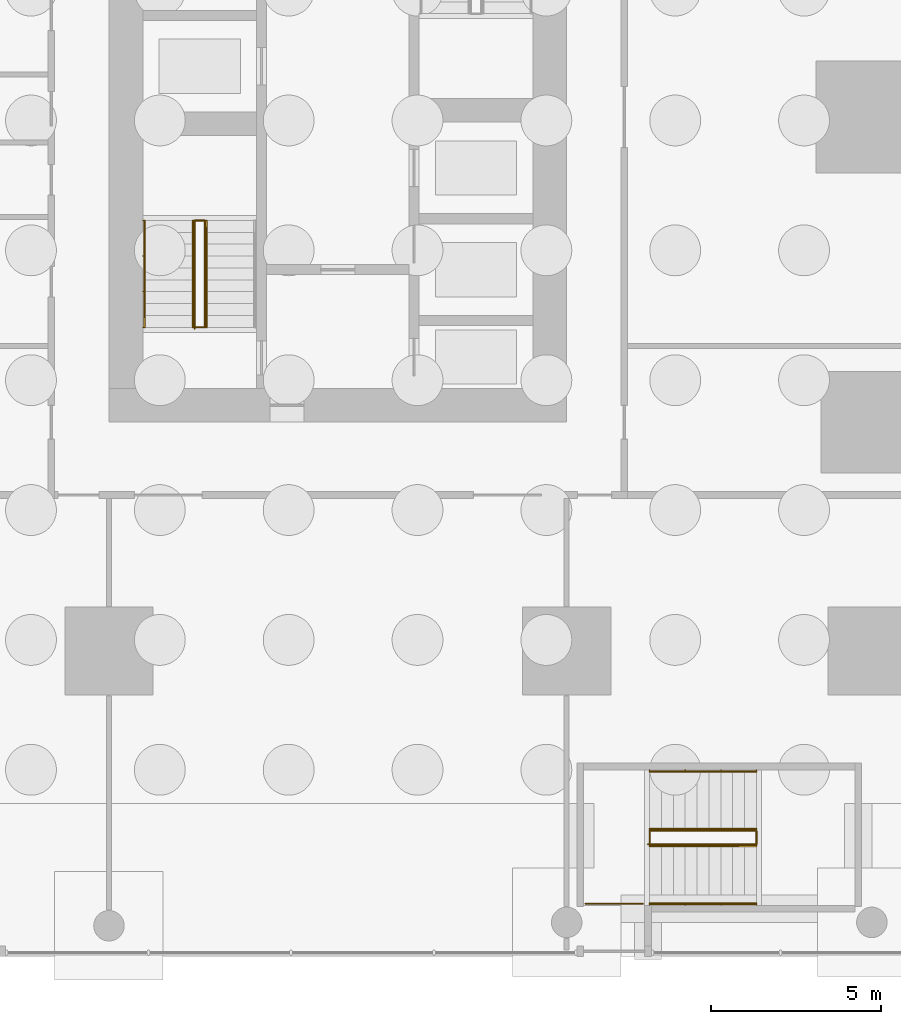
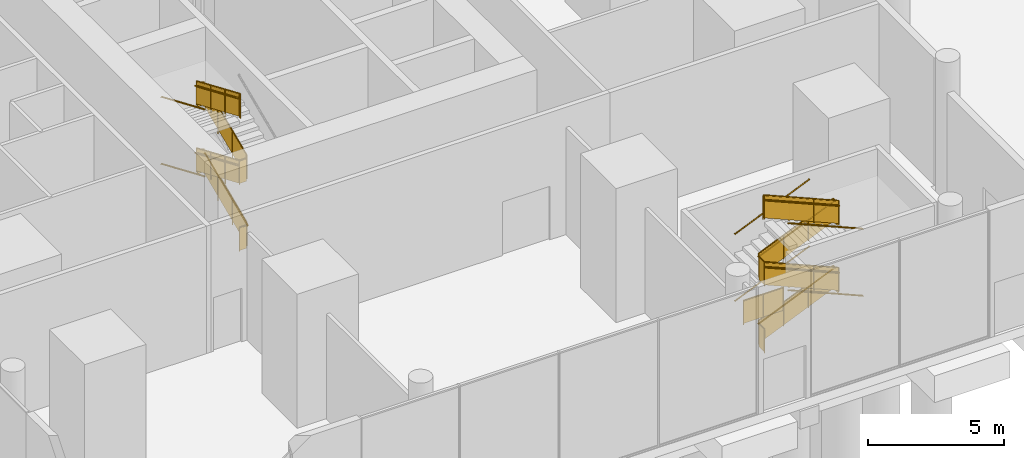
# One storey, part 25 of 31: 16 railings.
"""IFC4 building model written with IfcOpenShell, lengths in metres."""

from ifc_helpers import new_model, si_unit, direction, frame, origin, origin_2d, place, context, subcontext, project, spatial, polyline, circle, outline, extrude, material, type_object, element, save


model = new_model("IFC4")

# Units and contexts
model_context = context("Model", 3, precision=1e-05, world=origin(), true_north=direction((0.0, 1.0)))
body_context = subcontext(model_context, "Body", "Model", "MODEL_VIEW")
ifc_project = project(units=[si_unit("LENGTHUNIT", "METRE"), si_unit("AREAUNIT", "SQUARE_METRE"), si_unit("VOLUMEUNIT", "CUBIC_METRE"), si_unit("PLANEANGLEUNIT", "RADIAN"), si_unit("MASSUNIT", "GRAM", prefix="KILO")], contexts=[model_context])

# Site, building, storey
site_placement = place(None, origin())
site = spatial("IfcSite", under=ifc_project, at=site_placement, CompositionType="ELEMENT")
building_placement = place(site_placement, origin())
building = spatial("IfcBuilding", under=site, at=building_placement, Name="Namib Vertical Campus", CompositionType="ELEMENT")
storey_placement = place(building_placement, origin())
storey = spatial("IfcBuildingStorey", under=building, at=storey_placement, Name="L00", CompositionType="ELEMENT", Elevation=0.0)

# Railings
ifc_material_1 = material(Name="Steel handrail", Category="steel")
railing_type_1 = type_object("IfcRailingType", Name="Handrail 900", PredefinedType="HANDRAIL", material=ifc_material_1)
for number, where, name in (
    (1, (14.550048828125, 17.199951171875, 1.64990234375), "Handrail HR1 A-S1 L00 2"),
    (2, (14.550048828125, 17.199951171875, 4.64990234375), "Handrail HR1 A-S1 L00 4"),
):
    element("IfcRailing", number, at=place(storey_placement, frame(where)), inside=storey, type_object=railing_type_1, Name=name, PredefinedType="HANDRAIL", context=body_context, shape_type="SweptSolid", body=[
        extrude(circle(Radius=0.02392578125, at=origin_2d()), frame((0.0, 0.0, 0.8759765625), z_axis=(0.0, -0.919130290196, 0.393953689721), x_axis=(1.0, 0.0, 0.0)), (0.0, 0.0, 1.0), 3.427001953125),
        extrude(circle(Radius=0.008056640625, at=origin_2d()), frame((0.0, 0.0, 0.8759765625), z_axis=(-1.0, 0.0, 0.0), x_axis=(0.0, 0.0, 1.0)), (0.0, 0.0, 1.0), 0.050048828125),
        extrude(circle(Radius=0.008056640625, at=origin_2d()), frame((0.0, -1.050048828125, 1.325927734375), z_axis=(-1.0, 0.0, 0.0), x_axis=(0.0, 0.0, 1.0)), (0.0, 0.0, 1.0), 0.050048828125),
        extrude(circle(Radius=0.008056640625, at=origin_2d()), frame((0.0, -2.099853515625, 1.77587890625), z_axis=(-1.0, 0.0, 0.0), x_axis=(0.0, 0.0, 1.0)), (0.0, 0.0, 1.0), 0.050048828125),
        extrude(circle(Radius=0.008056640625, at=origin_2d()), frame((0.0, -3.14990234375, 2.22607421875), z_axis=(-1.0, 0.0, 0.0), x_axis=(0.0, 0.0, 1.0)), (0.0, 0.0, 1.0), 0.050048828125),
    ])
railing_1_placement = place(storey_placement, frame((16.375, 14.050048828125, 0.14990234375)))
element("IfcRailing", 3, at=railing_1_placement, inside=storey, type_object=railing_type_1, Name="Handrail HR1 A-S1 L00 1 at the well", PredefinedType="HANDRAIL", context=body_context, shape_type="SweptSolid", body=[
    extrude(circle(Radius=0.02392578125, at=origin_2d()), frame((0.0, 0.0, 0.8759765625), z_axis=(0.0, 0.919130290196, 0.393953689721), x_axis=(-1.0, 0.0, 0.0)), (0.0, 0.0, 1.0), 3.427001953125),
    extrude(circle(Radius=0.008056640625, at=origin_2d()), frame((0.0, 0.0, 0.8759765625), z_axis=(-1.0, 0.0, 0.0), x_axis=(0.0, 0.0, 1.0)), (0.0, 0.0, 1.0), 0.0400390625),
    extrude(circle(Radius=0.008056640625, at=origin_2d()), frame((0.0, 1.050048828125, 1.325927734375), z_axis=(-1.0, 0.0, 0.0), x_axis=(0.0, 0.0, 1.0)), (0.0, 0.0, 1.0), 0.0400390625),
    extrude(circle(Radius=0.008056640625, at=origin_2d()), frame((0.0, 2.099853515625, 1.77587890625), z_axis=(-1.0, 0.0, 0.0), x_axis=(0.0, 0.0, 1.0)), (0.0, 0.0, 1.0), 0.0400390625),
    extrude(circle(Radius=0.008056640625, at=origin_2d()), frame((0.0, 3.14990234375, 2.22607421875), z_axis=(-1.0, 0.0, 0.0), x_axis=(0.0, 0.0, 1.0)), (0.0, 0.0, 1.0), 0.0400390625),
])
for number, where, name in (
    (4, (15.97509765625, 17.199951171875, 1.64990234375), "Handrail HR1 A-S1 L00 2 at the well"),
    (5, (15.97509765625, 17.199951171875, 4.64990234375), "Handrail HR1 A-S1 L00 4 at the well"),
):
    element("IfcRailing", number, at=place(storey_placement, frame(where)), inside=storey, type_object=railing_type_1, Name=name, PredefinedType="HANDRAIL", context=body_context, shape_type="SweptSolid", body=[
        extrude(circle(Radius=0.02392578125, at=origin_2d()), frame((0.0, 0.0, 0.8759765625), z_axis=(0.0, -0.919130290196, 0.393953689721), x_axis=(1.0, 0.0, 0.0)), (0.0, 0.0, 1.0), 3.427001953125),
        extrude(circle(Radius=0.008056640625, at=origin_2d()), frame((0.0, 0.0, 0.8759765625), z_axis=(1.0, 0.0, 0.0), x_axis=(0.0, 0.0, 1.0)), (0.0, 0.0, 1.0), 0.0400390625),
        extrude(circle(Radius=0.008056640625, at=origin_2d()), frame((0.0, -1.050048828125, 1.325927734375), z_axis=(1.0, 0.0, 0.0), x_axis=(0.0, 0.0, 1.0)), (0.0, 0.0, 1.0), 0.0400390625),
        extrude(circle(Radius=0.008056640625, at=origin_2d()), frame((0.0, -2.099853515625, 1.77587890625), z_axis=(1.0, 0.0, 0.0), x_axis=(0.0, 0.0, 1.0)), (0.0, 0.0, 1.0), 0.0400390625),
        extrude(circle(Radius=0.008056640625, at=origin_2d()), frame((0.0, -3.14990234375, 2.22607421875), z_axis=(1.0, 0.0, 0.0), x_axis=(0.0, 0.0, 1.0)), (0.0, 0.0, 1.0), 0.0400390625),
    ])
railing_2_placement = place(storey_placement, frame((29.446044921875, 0.949951171875, 0.14990234375)))
element("IfcRailing", 6, at=railing_2_placement, inside=storey, type_object=railing_type_1, Name="Handrail HR1 P-S2 L00 1", PredefinedType="HANDRAIL", context=body_context, shape_type="SweptSolid", body=[
    extrude(circle(Radius=0.02392578125, at=origin_2d()), frame((0.0, 0.0, 0.8759765625), z_axis=(0.919141345424, 0.0, 0.393927895853), x_axis=(0.0, 1.0, 0.0)), (0.0, 0.0, 1.0), 3.42724609375),
    extrude(circle(Radius=0.008056640625, at=origin_2d()), frame((0.0, 0.0, 0.8759765625), z_axis=(0.0, 1.0, 0.0), x_axis=(0.0, 0.0, 1.0)), (0.0, 0.0, 1.0), 0.050048828125),
    extrude(circle(Radius=0.008056640625, at=origin_2d()), frame((1.050048828125, 0.0, 1.325927734375), z_axis=(0.0, 1.0, 0.0), x_axis=(0.0, 0.0, 1.0)), (0.0, 0.0, 1.0), 0.050048828125),
    extrude(circle(Radius=0.008056640625, at=origin_2d()), frame((2.10009765625, 0.0, 1.77587890625), z_axis=(0.0, 1.0, 0.0), x_axis=(0.0, 0.0, 1.0)), (0.0, 0.0, 1.0), 0.050048828125),
    extrude(circle(Radius=0.008056640625, at=origin_2d()), frame((3.150146484375, 0.0, 2.22607421875), z_axis=(0.0, 1.0, 0.0), x_axis=(0.0, 0.0, 1.0)), (0.0, 0.0, 1.0), 0.050048828125),
])
railing_3_placement = place(storey_placement, frame((32.59619140625, -2.949951171875, 1.64990234375)))
element("IfcRailing", 7, at=railing_3_placement, inside=storey, type_object=railing_type_1, Name="Handrail HR1 P-S2 L00 2", PredefinedType="HANDRAIL", context=body_context, shape_type="SweptSolid", body=[
    extrude(circle(Radius=0.02392578125, at=origin_2d()), frame((0.0, 0.0, 0.8759765625), z_axis=(-0.919141345424, 0.0, 0.393927895853), x_axis=(0.0, -1.0, 0.0)), (0.0, 0.0, 1.0), 3.42724609375),
    extrude(circle(Radius=0.008056640625, at=origin_2d()), frame((0.0, 0.0, 0.8759765625), z_axis=(0.0, -1.0, 0.0), x_axis=(0.0, 0.0, 1.0)), (0.0, 0.0, 1.0), 0.050048828125),
    extrude(circle(Radius=0.008056640625, at=origin_2d()), frame((-1.050048828125, 0.0, 1.325927734375), z_axis=(0.0, -1.0, 0.0), x_axis=(0.0, 0.0, 1.0)), (0.0, 0.0, 1.0), 0.050048828125),
    extrude(circle(Radius=0.008056640625, at=origin_2d()), frame((-2.10009765625, 0.0, 1.77587890625), z_axis=(0.0, -1.0, 0.0), x_axis=(0.0, 0.0, 1.0)), (0.0, 0.0, 1.0), 0.050048828125),
    extrude(circle(Radius=0.008056640625, at=origin_2d()), frame((-3.150146484375, 0.0, 2.22607421875), z_axis=(0.0, -1.0, 0.0), x_axis=(0.0, 0.0, 1.0)), (0.0, 0.0, 1.0), 0.050048828125),
])
railing_4_placement = place(storey_placement, frame((29.446044921875, 0.949951171875, 3.14990234375)))
element("IfcRailing", 8, at=railing_4_placement, inside=storey, type_object=railing_type_1, Name="Handrail HR1 P-S2 L00 3", PredefinedType="HANDRAIL", context=body_context, shape_type="SweptSolid", body=[
    extrude(circle(Radius=0.02392578125, at=origin_2d()), frame((0.0, 0.0, 0.8759765625), z_axis=(0.919141345424, 0.0, 0.393927895853), x_axis=(0.0, 1.0, 0.0)), (0.0, 0.0, 1.0), 3.42724609375),
    extrude(circle(Radius=0.008056640625, at=origin_2d()), frame((0.0, 0.0, 0.8759765625), z_axis=(0.0, 1.0, 0.0), x_axis=(0.0, 0.0, 1.0)), (0.0, 0.0, 1.0), 0.050048828125),
    extrude(circle(Radius=0.008056640625, at=origin_2d()), frame((1.050048828125, 0.0, 1.325927734375), z_axis=(0.0, 1.0, 0.0), x_axis=(0.0, 0.0, 1.0)), (0.0, 0.0, 1.0), 0.050048828125),
    extrude(circle(Radius=0.008056640625, at=origin_2d()), frame((2.10009765625, 0.0, 1.77587890625), z_axis=(0.0, 1.0, 0.0), x_axis=(0.0, 0.0, 1.0)), (0.0, 0.0, 1.0), 0.050048828125),
    extrude(circle(Radius=0.008056640625, at=origin_2d()), frame((3.150146484375, 0.0, 2.22607421875), z_axis=(0.0, 1.0, 0.0), x_axis=(0.0, 0.0, 1.0)), (0.0, 0.0, 1.0), 0.050048828125),
])
railing_5_placement = place(storey_placement, frame((32.59619140625, -2.949951171875, 4.64990234375)))
element("IfcRailing", 9, at=railing_5_placement, inside=storey, type_object=railing_type_1, Name="Handrail HR1 P-S2 L00 4", PredefinedType="HANDRAIL", context=body_context, shape_type="SweptSolid", body=[
    extrude(circle(Radius=0.02392578125, at=origin_2d()), frame((0.0, 0.0, 0.8759765625), z_axis=(-0.919141345424, 0.0, 0.393927895853), x_axis=(0.0, -1.0, 0.0)), (0.0, 0.0, 1.0), 3.42724609375),
    extrude(circle(Radius=0.008056640625, at=origin_2d()), frame((0.0, 0.0, 0.8759765625), z_axis=(0.0, -1.0, 0.0), x_axis=(0.0, 0.0, 1.0)), (0.0, 0.0, 1.0), 0.050048828125),
    extrude(circle(Radius=0.008056640625, at=origin_2d()), frame((-1.050048828125, 0.0, 1.325927734375), z_axis=(0.0, -1.0, 0.0), x_axis=(0.0, 0.0, 1.0)), (0.0, 0.0, 1.0), 0.050048828125),
    extrude(circle(Radius=0.008056640625, at=origin_2d()), frame((-2.10009765625, 0.0, 1.77587890625), z_axis=(0.0, -1.0, 0.0), x_axis=(0.0, 0.0, 1.0)), (0.0, 0.0, 1.0), 0.050048828125),
    extrude(circle(Radius=0.008056640625, at=origin_2d()), frame((-3.150146484375, 0.0, 2.22607421875), z_axis=(0.0, -1.0, 0.0), x_axis=(0.0, 0.0, 1.0)), (0.0, 0.0, 1.0), 0.050048828125),
])
railing_6_placement = place(storey_placement, frame((29.446044921875, -0.75, 0.14990234375)))
element("IfcRailing", 10, at=railing_6_placement, inside=storey, type_object=railing_type_1, Name="Handrail HR1 P-S2 L00 1 at the well", PredefinedType="HANDRAIL", context=body_context, shape_type="SweptSolid", body=[
    extrude(circle(Radius=0.02392578125, at=origin_2d()), frame((0.0, 0.0, 0.8759765625), z_axis=(0.919141345424, 0.0, 0.393927895853), x_axis=(0.0, 1.0, 0.0)), (0.0, 0.0, 1.0), 3.42724609375),
    extrude(circle(Radius=0.008056640625, at=origin_2d()), frame((0.0, 0.0, 0.8759765625), z_axis=(0.0, -1.0, 0.0), x_axis=(0.0, 0.0, 1.0)), (0.0, 0.0, 1.0), 0.0400390625),
    extrude(circle(Radius=0.008056640625, at=origin_2d()), frame((1.050048828125, 0.0, 1.325927734375), z_axis=(0.0, -1.0, 0.0), x_axis=(0.0, 0.0, 1.0)), (0.0, 0.0, 1.0), 0.0400390625),
    extrude(circle(Radius=0.008056640625, at=origin_2d()), frame((2.10009765625, 0.0, 1.77587890625), z_axis=(0.0, -1.0, 0.0), x_axis=(0.0, 0.0, 1.0)), (0.0, 0.0, 1.0), 0.0400390625),
    extrude(circle(Radius=0.008056640625, at=origin_2d()), frame((3.150146484375, 0.0, 2.22607421875), z_axis=(0.0, -1.0, 0.0), x_axis=(0.0, 0.0, 1.0)), (0.0, 0.0, 1.0), 0.0400390625),
])
railing_7_placement = place(storey_placement, frame((32.59619140625, -1.25, 1.64990234375)))
element("IfcRailing", 11, at=railing_7_placement, inside=storey, type_object=railing_type_1, Name="Handrail HR1 P-S2 L00 2 at the well", PredefinedType="HANDRAIL", context=body_context, shape_type="SweptSolid", body=[
    extrude(circle(Radius=0.02392578125, at=origin_2d()), frame((0.0, 0.0, 0.8759765625), z_axis=(-0.919141345424, 0.0, 0.393927895853), x_axis=(0.0, -1.0, 0.0)), (0.0, 0.0, 1.0), 3.42724609375),
    extrude(circle(Radius=0.008056640625, at=origin_2d()), frame((0.0, 0.0, 0.8759765625), z_axis=(0.0, 1.0, 0.0), x_axis=(0.0, 0.0, 1.0)), (0.0, 0.0, 1.0), 0.0400390625),
    extrude(circle(Radius=0.008056640625, at=origin_2d()), frame((-1.050048828125, 0.0, 1.325927734375), z_axis=(0.0, 1.0, 0.0), x_axis=(0.0, 0.0, 1.0)), (0.0, 0.0, 1.0), 0.0400390625),
    extrude(circle(Radius=0.008056640625, at=origin_2d()), frame((-2.10009765625, 0.0, 1.77587890625), z_axis=(0.0, 1.0, 0.0), x_axis=(0.0, 0.0, 1.0)), (0.0, 0.0, 1.0), 0.0400390625),
    extrude(circle(Radius=0.008056640625, at=origin_2d()), frame((-3.150146484375, 0.0, 2.22607421875), z_axis=(0.0, 1.0, 0.0), x_axis=(0.0, 0.0, 1.0)), (0.0, 0.0, 1.0), 0.0400390625),
])
railing_8_placement = place(storey_placement, frame((29.446044921875, -0.75, 3.14990234375)))
element("IfcRailing", 12, at=railing_8_placement, inside=storey, type_object=railing_type_1, Name="Handrail HR1 P-S2 L00 3 at the well", PredefinedType="HANDRAIL", context=body_context, shape_type="SweptSolid", body=[
    extrude(circle(Radius=0.02392578125, at=origin_2d()), frame((0.0, 0.0, 0.8759765625), z_axis=(0.919141345424, 0.0, 0.393927895853), x_axis=(0.0, 1.0, 0.0)), (0.0, 0.0, 1.0), 3.42724609375),
    extrude(circle(Radius=0.008056640625, at=origin_2d()), frame((0.0, 0.0, 0.8759765625), z_axis=(0.0, -1.0, 0.0), x_axis=(0.0, 0.0, 1.0)), (0.0, 0.0, 1.0), 0.0400390625),
    extrude(circle(Radius=0.008056640625, at=origin_2d()), frame((1.050048828125, 0.0, 1.325927734375), z_axis=(0.0, -1.0, 0.0), x_axis=(0.0, 0.0, 1.0)), (0.0, 0.0, 1.0), 0.0400390625),
    extrude(circle(Radius=0.008056640625, at=origin_2d()), frame((2.10009765625, 0.0, 1.77587890625), z_axis=(0.0, -1.0, 0.0), x_axis=(0.0, 0.0, 1.0)), (0.0, 0.0, 1.0), 0.0400390625),
    extrude(circle(Radius=0.008056640625, at=origin_2d()), frame((3.150146484375, 0.0, 2.22607421875), z_axis=(0.0, -1.0, 0.0), x_axis=(0.0, 0.0, 1.0)), (0.0, 0.0, 1.0), 0.0400390625),
])
railing_9_placement = place(storey_placement, frame((32.59619140625, -1.25, 4.64990234375)))
element("IfcRailing", 13, at=railing_9_placement, inside=storey, type_object=railing_type_1, Name="Handrail HR1 P-S2 L00 4 at the well", PredefinedType="HANDRAIL", context=body_context, shape_type="SweptSolid", body=[
    extrude(circle(Radius=0.02392578125, at=origin_2d()), frame((0.0, 0.0, 0.8759765625), z_axis=(-0.919141345424, 0.0, 0.393927895853), x_axis=(0.0, -1.0, 0.0)), (0.0, 0.0, 1.0), 3.42724609375),
    extrude(circle(Radius=0.008056640625, at=origin_2d()), frame((0.0, 0.0, 0.8759765625), z_axis=(0.0, 1.0, 0.0), x_axis=(0.0, 0.0, 1.0)), (0.0, 0.0, 1.0), 0.0400390625),
    extrude(circle(Radius=0.008056640625, at=origin_2d()), frame((-1.050048828125, 0.0, 1.325927734375), z_axis=(0.0, 1.0, 0.0), x_axis=(0.0, 0.0, 1.0)), (0.0, 0.0, 1.0), 0.0400390625),
    extrude(circle(Radius=0.008056640625, at=origin_2d()), frame((-2.10009765625, 0.0, 1.77587890625), z_axis=(0.0, 1.0, 0.0), x_axis=(0.0, 0.0, 1.0)), (0.0, 0.0, 1.0), 0.0400390625),
    extrude(circle(Radius=0.008056640625, at=origin_2d()), frame((-3.150146484375, 0.0, 2.22607421875), z_axis=(0.0, 1.0, 0.0), x_axis=(0.0, 0.0, 1.0)), (0.0, 0.0, 1.0), 0.0400390625),
])
ifc_material_2 = material(Name="Steel balustrade", Category="steel")
railing_type_2 = type_object("IfcRailingType", Name="Stair guard 1100", PredefinedType="GUARDRAIL", material=ifc_material_2)
railing_10_placement = place(storey_placement, frame((16.02490234375, 14.050048828125, 0.0)))
element("IfcRailing", 14, at=railing_10_placement, inside=storey, type_object=railing_type_2, Name="Stair guard GR1 A-S1 L00", PredefinedType="GUARDRAIL", context=body_context, shape_type="SweptSolid", body=[
    extrude(circle(Radius=0.02392578125, at=origin_2d()), frame((0.0, 0.0, 1.076171875), z_axis=(1.0, 0.0, 0.0), x_axis=(0.0, 1.0, 0.0)), (0.0, 0.0, 1.0), 0.300048828125),
    extrude(outline(polyline([(0.02099609375, 0.050048828125), (0.279052734375, 0.050048828125), (0.279052734375, 1.052001953125), (0.02099609375, 1.052001953125), (0.02099609375, 0.050048828125)])), frame((0.0, 0.010009765625, 0.0), z_axis=(0.0, -1.0, 0.0), x_axis=(1.0, 0.0, 0.0)), (0.0, 0.0, 1.0), 0.02001953125),
    extrude(circle(Radius=0.02392578125, at=origin_2d()), frame((0.300048828125, 0.0, 1.076171875), z_axis=(0.0, 0.0, 1.0), x_axis=(1.0, 0.0, 0.0)), (0.0, 0.0, 1.0), 0.14990234375),
    extrude(circle(Radius=0.02392578125, at=origin_2d()), frame((0.300048828125, 0.0, 1.22607421875), z_axis=(0.0, 0.919130290196, 0.393953689721), x_axis=(-1.0, 0.0, 0.0)), (0.0, 0.0, 1.0), 3.427001953125),
    extrude(outline(polyline([(0.02099609375, 0.05908203125), (3.12890625, 1.39111328125), (3.12890625, 2.39306640625), (0.02099609375, 1.06103515625), (0.02099609375, 0.05908203125)])), frame((0.2900390625, 0.0, 0.14990234375), z_axis=(1.0, 0.0, 0.0), x_axis=(0.0, 1.0, 0.0)), (0.0, 0.0, 1.0), 0.02001953125),
    extrude(circle(Radius=0.02392578125, at=origin_2d()), frame((0.300048828125, 3.14990234375, 2.576171875), z_axis=(-1.0, 0.0, 0.0), x_axis=(0.0, -1.0, 0.0)), (0.0, 0.0, 1.0), 0.300048828125),
    extrude(outline(polyline([(0.02099609375, 0.050048828125), (0.279052734375, 0.050048828125), (0.279052734375, 1.052001953125), (0.02099609375, 1.052001953125), (0.02099609375, 0.050048828125)])), frame((0.300048828125, 3.139892578125, 1.5), z_axis=(0.0, 1.0, 0.0), x_axis=(-1.0, 0.0, 0.0)), (0.0, 0.0, 1.0), 0.02001953125),
    extrude(circle(Radius=0.02392578125, at=origin_2d()), frame((0.0, 3.14990234375, 2.576171875), z_axis=(0.0, 0.0, 1.0), x_axis=(1.0, 0.0, 0.0)), (0.0, 0.0, 1.0), 0.14990234375),
    extrude(circle(Radius=0.02392578125, at=origin_2d()), frame((0.0, 3.14990234375, 2.72607421875), z_axis=(0.0, -0.919130290196, 0.393953689721), x_axis=(1.0, 0.0, 0.0)), (0.0, 0.0, 1.0), 3.427001953125),
    extrude(outline(polyline([(0.02099609375, 0.05908203125), (3.12890625, 1.39111328125), (3.12890625, 2.39306640625), (0.02099609375, 1.06103515625), (0.02099609375, 0.05908203125)])), frame((0.010009765625, 3.14990234375, 1.64990234375), z_axis=(-1.0, 0.0, 0.0), x_axis=(0.0, -1.0, 0.0)), (0.0, 0.0, 1.0), 0.02001953125),
    extrude(circle(Radius=0.02392578125, at=origin_2d()), frame((0.0, 0.0, 4.076171875), z_axis=(1.0, 0.0, 0.0), x_axis=(0.0, 1.0, 0.0)), (0.0, 0.0, 1.0), 0.300048828125),
    extrude(outline(polyline([(0.02099609375, 0.050048828125), (0.279052734375, 0.050048828125), (0.279052734375, 1.052001953125), (0.02099609375, 1.052001953125), (0.02099609375, 0.050048828125)])), frame((0.0, 0.010009765625, 3.0), z_axis=(0.0, -1.0, 0.0), x_axis=(1.0, 0.0, 0.0)), (0.0, 0.0, 1.0), 0.02001953125),
    extrude(circle(Radius=0.02392578125, at=origin_2d()), frame((0.300048828125, 0.0, 4.076171875), z_axis=(0.0, 0.0, 1.0), x_axis=(1.0, 0.0, 0.0)), (0.0, 0.0, 1.0), 0.14990234375),
    extrude(circle(Radius=0.02392578125, at=origin_2d()), frame((0.300048828125, 0.0, 4.22607421875), z_axis=(0.0, 0.919130290196, 0.393953689721), x_axis=(-1.0, 0.0, 0.0)), (0.0, 0.0, 1.0), 3.427001953125),
    extrude(outline(polyline([(0.02099609375, 0.05908203125), (3.12890625, 1.39111328125), (3.12890625, 2.39306640625), (0.02099609375, 1.06103515625), (0.02099609375, 0.05908203125)])), frame((0.2900390625, 0.0, 3.14990234375), z_axis=(1.0, 0.0, 0.0), x_axis=(0.0, 1.0, 0.0)), (0.0, 0.0, 1.0), 0.02001953125),
    extrude(circle(Radius=0.02392578125, at=origin_2d()), frame((0.300048828125, 3.14990234375, 5.576171875), z_axis=(-1.0, 0.0, 0.0), x_axis=(0.0, -1.0, 0.0)), (0.0, 0.0, 1.0), 0.300048828125),
    extrude(outline(polyline([(0.02099609375, 0.050048828125), (0.279052734375, 0.050048828125), (0.279052734375, 1.052001953125), (0.02099609375, 1.052001953125), (0.02099609375, 0.050048828125)])), frame((0.300048828125, 3.139892578125, 4.5), z_axis=(0.0, 1.0, 0.0), x_axis=(-1.0, 0.0, 0.0)), (0.0, 0.0, 1.0), 0.02001953125),
    extrude(circle(Radius=0.02392578125, at=origin_2d()), frame((0.0, 3.14990234375, 5.576171875), z_axis=(0.0, 0.0, 1.0), x_axis=(1.0, 0.0, 0.0)), (0.0, 0.0, 1.0), 0.14990234375),
    extrude(circle(Radius=0.02392578125, at=origin_2d()), frame((0.0, 3.14990234375, 5.72607421875), z_axis=(0.0, -0.919130290196, 0.393953689721), x_axis=(1.0, 0.0, 0.0)), (0.0, 0.0, 1.0), 3.427001953125),
    extrude(outline(polyline([(0.02099609375, 0.05908203125), (3.12890625, 1.39111328125), (3.12890625, 2.39306640625), (0.02099609375, 1.06103515625), (0.02099609375, 0.05908203125)])), frame((0.010009765625, 3.14990234375, 4.64990234375), z_axis=(-1.0, 0.0, 0.0), x_axis=(0.0, -1.0, 0.0)), (0.0, 0.0, 1.0), 0.02001953125),
    extrude(circle(Radius=0.02392578125, at=origin_2d()), frame((0.0, 0.0, 7.076171875), z_axis=(0.0, -1.0, 0.0), x_axis=(1.0, 0.0, 0.0)), (0.0, 0.0, 1.0), 0.050048828125),
    extrude(outline(polyline([(0.02099609375, 0.050048828125), (0.029052734375, 0.050048828125), (0.029052734375, 1.052001953125), (0.02099609375, 1.052001953125), (0.02099609375, 0.050048828125)])), frame((0.010009765625, 0.0, 6.0), z_axis=(-1.0, 0.0, 0.0), x_axis=(0.0, -1.0, 0.0)), (0.0, 0.0, 1.0), 0.02001953125),
    extrude(circle(Radius=0.02099609375, at=origin_2d()), origin(), (0.0, 0.0, 1.0), 1.052001953125),
    extrude(circle(Radius=0.02099609375, at=origin_2d()), frame((0.300048828125, 0.0, 0.14990234375)), (0.0, 0.0, 1.0), 1.052001953125),
    extrude(circle(Radius=0.02099609375, at=origin_2d()), frame((0.300048828125, 1.050048828125, 0.449951171875)), (0.0, 0.0, 1.0), 1.2021484375),
    extrude(circle(Radius=0.02099609375, at=origin_2d()), frame((0.300048828125, 2.099853515625, 0.89990234375)), (0.0, 0.0, 1.0), 1.2021484375),
    extrude(circle(Radius=0.02099609375, at=origin_2d()), frame((0.300048828125, 3.14990234375, 1.5)), (0.0, 0.0, 1.0), 1.052001953125),
    extrude(circle(Radius=0.02099609375, at=origin_2d()), frame((0.0, 3.14990234375, 1.64990234375)), (0.0, 0.0, 1.0), 1.052001953125),
    extrude(circle(Radius=0.02099609375, at=origin_2d()), frame((0.0, 2.099853515625, 1.949951171875)), (0.0, 0.0, 1.0), 1.2021484375),
    extrude(circle(Radius=0.02099609375, at=origin_2d()), frame((0.0, 1.050048828125, 2.39990234375)), (0.0, 0.0, 1.0), 1.2021484375),
    extrude(circle(Radius=0.02099609375, at=origin_2d()), frame((0.0, 0.0, 3.0)), (0.0, 0.0, 1.0), 1.052001953125),
    extrude(circle(Radius=0.02099609375, at=origin_2d()), frame((0.300048828125, 0.0, 3.14990234375)), (0.0, 0.0, 1.0), 1.052001953125),
    extrude(circle(Radius=0.02099609375, at=origin_2d()), frame((0.300048828125, 1.050048828125, 3.449951171875)), (0.0, 0.0, 1.0), 1.2021484375),
    extrude(circle(Radius=0.02099609375, at=origin_2d()), frame((0.300048828125, 2.099853515625, 3.89990234375)), (0.0, 0.0, 1.0), 1.2021484375),
    extrude(circle(Radius=0.02099609375, at=origin_2d()), frame((0.300048828125, 3.14990234375, 4.5)), (0.0, 0.0, 1.0), 1.052001953125),
    extrude(circle(Radius=0.02099609375, at=origin_2d()), frame((0.0, 3.14990234375, 4.64990234375)), (0.0, 0.0, 1.0), 1.052001953125),
    extrude(circle(Radius=0.02099609375, at=origin_2d()), frame((0.0, 2.099853515625, 4.949951171875)), (0.0, 0.0, 1.0), 1.2021484375),
    extrude(circle(Radius=0.02099609375, at=origin_2d()), frame((0.0, 1.050048828125, 5.39990234375)), (0.0, 0.0, 1.0), 1.2021484375),
    extrude(circle(Radius=0.02099609375, at=origin_2d()), frame((0.0, 0.0, 6.0)), (0.0, 0.0, 1.0), 1.052001953125),
    extrude(circle(Radius=0.02099609375, at=origin_2d()), frame((0.0, -0.050048828125, 6.0)), (0.0, 0.0, 1.0), 1.052001953125),
])
railing_11_placement = place(storey_placement, frame((29.446044921875, -1.199951171875, 0.0)))
element("IfcRailing", 15, at=railing_11_placement, inside=storey, type_object=railing_type_2, Name="Stair guard GR1 P-S2 L00", PredefinedType="GUARDRAIL", context=body_context, shape_type="SweptSolid", body=[
    extrude(circle(Radius=0.02392578125, at=origin_2d()), frame((0.0, 0.0, 1.076171875), z_axis=(0.0, 1.0, 0.0), x_axis=(-1.0, 0.0, 0.0)), (0.0, 0.0, 1.0), 0.39990234375),
    extrude(outline(polyline([(0.02099609375, 0.050048828125), (0.37890625, 0.050048828125), (0.37890625, 1.052001953125), (0.02099609375, 1.052001953125), (0.02099609375, 0.050048828125)])), frame((-0.010009765625, 0.0, 0.0), z_axis=(1.0, 0.0, 0.0), x_axis=(0.0, 1.0, 0.0)), (0.0, 0.0, 1.0), 0.02001953125),
    extrude(circle(Radius=0.02392578125, at=origin_2d()), frame((0.0, 0.39990234375, 1.076171875), z_axis=(0.0, 0.0, 1.0), x_axis=(1.0, 0.0, 0.0)), (0.0, 0.0, 1.0), 0.14990234375),
    extrude(circle(Radius=0.02392578125, at=origin_2d()), frame((0.0, 0.39990234375, 1.22607421875), z_axis=(0.919141345424, 0.0, 0.393927895853), x_axis=(0.0, 1.0, 0.0)), (0.0, 0.0, 1.0), 3.42724609375),
    extrude(outline(polyline([(0.02099609375, 0.05908203125), (3.129150390625, 1.39111328125), (3.129150390625, 2.39306640625), (0.02099609375, 1.06103515625), (0.02099609375, 0.05908203125)])), frame((0.0, 0.409912109375, 0.14990234375), z_axis=(0.0, -1.0, 0.0), x_axis=(1.0, 0.0, 0.0)), (0.0, 0.0, 1.0), 0.02001953125),
    extrude(circle(Radius=0.02392578125, at=origin_2d()), frame((3.150146484375, 0.39990234375, 2.576171875), z_axis=(0.0, -1.0, 0.0), x_axis=(1.0, 0.0, 0.0)), (0.0, 0.0, 1.0), 0.39990234375),
    extrude(outline(polyline([(0.02099609375, 0.050048828125), (0.37890625, 0.050048828125), (0.37890625, 1.052001953125), (0.02099609375, 1.052001953125), (0.02099609375, 0.050048828125)])), frame((3.16015625, 0.39990234375, 1.5), z_axis=(-1.0, 0.0, 0.0), x_axis=(0.0, -1.0, 0.0)), (0.0, 0.0, 1.0), 0.02001953125),
    extrude(circle(Radius=0.02392578125, at=origin_2d()), frame((3.150146484375, 0.0, 2.576171875), z_axis=(0.0, 0.0, 1.0), x_axis=(1.0, 0.0, 0.0)), (0.0, 0.0, 1.0), 0.14990234375),
    extrude(circle(Radius=0.02392578125, at=origin_2d()), frame((3.150146484375, 0.0, 2.72607421875), z_axis=(-0.919141345424, 0.0, 0.393927895853), x_axis=(0.0, -1.0, 0.0)), (0.0, 0.0, 1.0), 3.42724609375),
    extrude(outline(polyline([(0.02099609375, 0.05908203125), (3.129150390625, 1.39111328125), (3.129150390625, 2.39306640625), (0.02099609375, 1.06103515625), (0.02099609375, 0.05908203125)])), frame((3.150146484375, -0.010009765625, 1.64990234375), z_axis=(0.0, 1.0, 0.0), x_axis=(-1.0, 0.0, 0.0)), (0.0, 0.0, 1.0), 0.02001953125),
    extrude(circle(Radius=0.02392578125, at=origin_2d()), frame((0.0, 0.0, 4.076171875), z_axis=(0.0, 1.0, 0.0), x_axis=(-1.0, 0.0, 0.0)), (0.0, 0.0, 1.0), 0.39990234375),
    extrude(outline(polyline([(0.02099609375, 0.050048828125), (0.37890625, 0.050048828125), (0.37890625, 1.052001953125), (0.02099609375, 1.052001953125), (0.02099609375, 0.050048828125)])), frame((-0.010009765625, 0.0, 3.0), z_axis=(1.0, 0.0, 0.0), x_axis=(0.0, 1.0, 0.0)), (0.0, 0.0, 1.0), 0.02001953125),
    extrude(circle(Radius=0.02392578125, at=origin_2d()), frame((0.0, 0.39990234375, 4.076171875), z_axis=(0.0, 0.0, 1.0), x_axis=(1.0, 0.0, 0.0)), (0.0, 0.0, 1.0), 0.14990234375),
    extrude(circle(Radius=0.02392578125, at=origin_2d()), frame((0.0, 0.39990234375, 4.22607421875), z_axis=(0.919141345424, 0.0, 0.393927895853), x_axis=(0.0, 1.0, 0.0)), (0.0, 0.0, 1.0), 3.42724609375),
    extrude(outline(polyline([(0.02099609375, 0.05908203125), (3.129150390625, 1.39111328125), (3.129150390625, 2.39306640625), (0.02099609375, 1.06103515625), (0.02099609375, 0.05908203125)])), frame((0.0, 0.409912109375, 3.14990234375), z_axis=(0.0, -1.0, 0.0), x_axis=(1.0, 0.0, 0.0)), (0.0, 0.0, 1.0), 0.02001953125),
    extrude(circle(Radius=0.02392578125, at=origin_2d()), frame((3.150146484375, 0.39990234375, 5.576171875), z_axis=(0.0, -1.0, 0.0), x_axis=(1.0, 0.0, 0.0)), (0.0, 0.0, 1.0), 0.39990234375),
    extrude(outline(polyline([(0.02099609375, 0.050048828125), (0.37890625, 0.050048828125), (0.37890625, 1.052001953125), (0.02099609375, 1.052001953125), (0.02099609375, 0.050048828125)])), frame((3.16015625, 0.39990234375, 4.5), z_axis=(-1.0, 0.0, 0.0), x_axis=(0.0, -1.0, 0.0)), (0.0, 0.0, 1.0), 0.02001953125),
    extrude(circle(Radius=0.02392578125, at=origin_2d()), frame((3.150146484375, 0.0, 5.576171875), z_axis=(0.0, 0.0, 1.0), x_axis=(1.0, 0.0, 0.0)), (0.0, 0.0, 1.0), 0.14990234375),
    extrude(circle(Radius=0.02392578125, at=origin_2d()), frame((3.150146484375, 0.0, 5.72607421875), z_axis=(-0.919141345424, 0.0, 0.393927895853), x_axis=(0.0, -1.0, 0.0)), (0.0, 0.0, 1.0), 3.42724609375),
    extrude(outline(polyline([(0.02099609375, 0.05908203125), (3.129150390625, 1.39111328125), (3.129150390625, 2.39306640625), (0.02099609375, 1.06103515625), (0.02099609375, 0.05908203125)])), frame((3.150146484375, -0.010009765625, 4.64990234375), z_axis=(0.0, 1.0, 0.0), x_axis=(-1.0, 0.0, 0.0)), (0.0, 0.0, 1.0), 0.02001953125),
    extrude(circle(Radius=0.02392578125, at=origin_2d()), frame((0.0, 0.0, 7.076171875), z_axis=(-1.0, 0.0, 0.0), x_axis=(0.0, -1.0, 0.0)), (0.0, 0.0, 1.0), 0.050048828125),
    extrude(outline(polyline([(0.02099609375, 0.050048828125), (0.029052734375, 0.050048828125), (0.029052734375, 1.052001953125), (0.02099609375, 1.052001953125), (0.02099609375, 0.050048828125)])), frame((0.0, -0.010009765625, 6.0), z_axis=(0.0, 1.0, 0.0), x_axis=(-1.0, 0.0, 0.0)), (0.0, 0.0, 1.0), 0.02001953125),
    extrude(circle(Radius=0.02099609375, at=origin_2d()), origin(), (0.0, 0.0, 1.0), 1.052001953125),
    extrude(circle(Radius=0.02099609375, at=origin_2d()), frame((0.0, 0.39990234375, 0.14990234375)), (0.0, 0.0, 1.0), 1.052001953125),
    extrude(circle(Radius=0.02099609375, at=origin_2d()), frame((1.050048828125, 0.39990234375, 0.599853515625)), (0.0, 0.0, 1.0), 1.052001953125),
    extrude(circle(Radius=0.02099609375, at=origin_2d()), frame((2.10009765625, 0.39990234375, 1.0498046875)), (0.0, 0.0, 1.0), 1.052001953125),
    extrude(circle(Radius=0.02099609375, at=origin_2d()), frame((3.150146484375, 0.39990234375, 1.5)), (0.0, 0.0, 1.0), 1.052001953125),
    extrude(circle(Radius=0.02099609375, at=origin_2d()), frame((3.150146484375, 0.0, 1.64990234375)), (0.0, 0.0, 1.0), 1.052001953125),
    extrude(circle(Radius=0.02099609375, at=origin_2d()), frame((2.10009765625, 0.0, 2.099853515625)), (0.0, 0.0, 1.0), 1.052001953125),
    extrude(circle(Radius=0.02099609375, at=origin_2d()), frame((1.050048828125, 0.0, 2.5498046875)), (0.0, 0.0, 1.0), 1.052001953125),
    extrude(circle(Radius=0.02099609375, at=origin_2d()), frame((0.0, 0.0, 3.0)), (0.0, 0.0, 1.0), 1.052001953125),
    extrude(circle(Radius=0.02099609375, at=origin_2d()), frame((0.0, 0.39990234375, 3.14990234375)), (0.0, 0.0, 1.0), 1.052001953125),
    extrude(circle(Radius=0.02099609375, at=origin_2d()), frame((1.050048828125, 0.39990234375, 3.599853515625)), (0.0, 0.0, 1.0), 1.052001953125),
    extrude(circle(Radius=0.02099609375, at=origin_2d()), frame((2.10009765625, 0.39990234375, 4.0498046875)), (0.0, 0.0, 1.0), 1.052001953125),
    extrude(circle(Radius=0.02099609375, at=origin_2d()), frame((3.150146484375, 0.39990234375, 4.5)), (0.0, 0.0, 1.0), 1.052001953125),
    extrude(circle(Radius=0.02099609375, at=origin_2d()), frame((3.150146484375, 0.0, 4.64990234375)), (0.0, 0.0, 1.0), 1.052001953125),
    extrude(circle(Radius=0.02099609375, at=origin_2d()), frame((2.10009765625, 0.0, 5.099853515625)), (0.0, 0.0, 1.0), 1.052001953125),
    extrude(circle(Radius=0.02099609375, at=origin_2d()), frame((1.050048828125, 0.0, 5.5498046875)), (0.0, 0.0, 1.0), 1.052001953125),
    extrude(circle(Radius=0.02099609375, at=origin_2d()), frame((0.0, 0.0, 6.0)), (0.0, 0.0, 1.0), 1.052001953125),
    extrude(circle(Radius=0.02099609375, at=origin_2d()), frame((-0.050048828125, 0.0, 6.0)), (0.0, 0.0, 1.0), 1.052001953125),
])
railing_12_placement = place(storey_placement, frame((27.550048828125, -2.949951171875, 3.0)))
element("IfcRailing", 16, at=railing_12_placement, inside=storey, type_object=railing_type_2, Name="Stair guard GR1 P-S2 L00 over the exit vestibule 1", PredefinedType="GUARDRAIL", context=body_context, shape_type="SweptSolid", body=[
    extrude(circle(Radius=0.02392578125, at=origin_2d()), frame((0.0, 0.0, 1.076171875), z_axis=(1.0, 0.0, 0.0), x_axis=(0.0, 1.0, 0.0)), (0.0, 0.0, 1.0), 1.699951171875),
    extrude(outline(polyline([(0.02099609375, 0.050048828125), (1.678955078125, 0.050048828125), (1.678955078125, 1.052001953125), (0.02099609375, 1.052001953125), (0.02099609375, 0.050048828125)])), frame((0.0, 0.010009765625, 0.0), z_axis=(0.0, -1.0, 0.0), x_axis=(1.0, 0.0, 0.0)), (0.0, 0.0, 1.0), 0.02001953125),
    extrude(circle(Radius=0.02099609375, at=origin_2d()), origin(), (0.0, 0.0, 1.0), 1.052001953125),
    extrude(circle(Radius=0.02099609375, at=origin_2d()), frame((0.85009765625, 0.0, 0.0)), (0.0, 0.0, 1.0), 1.052001953125),
    extrude(circle(Radius=0.02099609375, at=origin_2d()), frame((1.699951171875, 0.0, 0.0)), (0.0, 0.0, 1.0), 1.052001953125),
])

save(model, "model.ifc")
